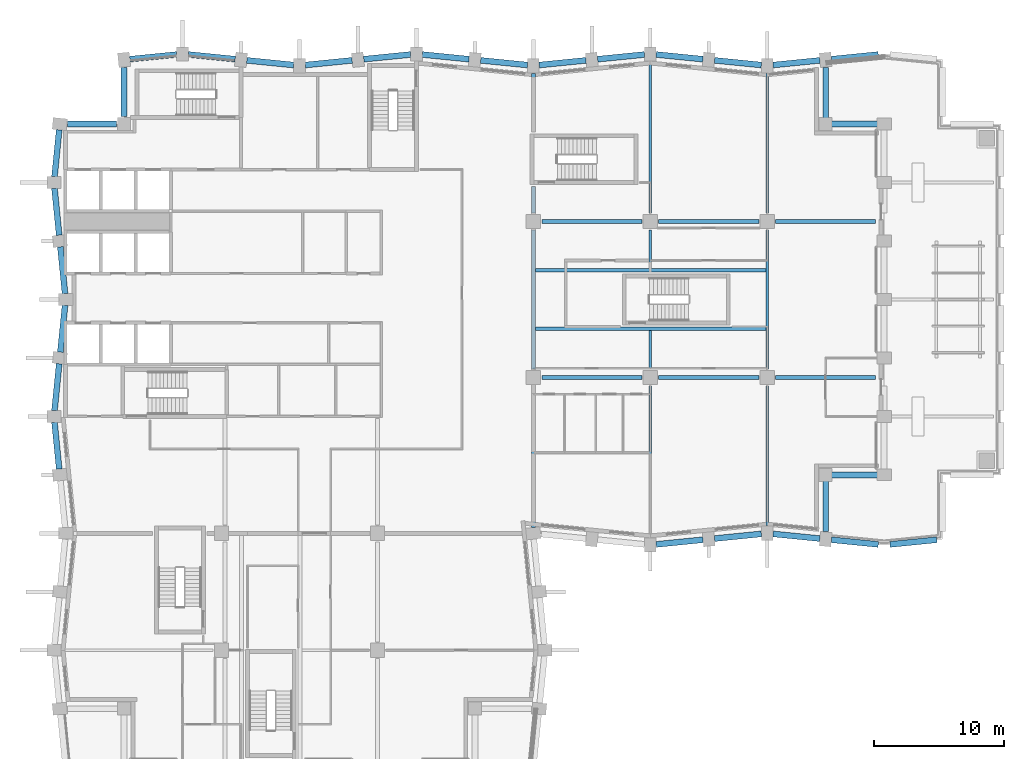
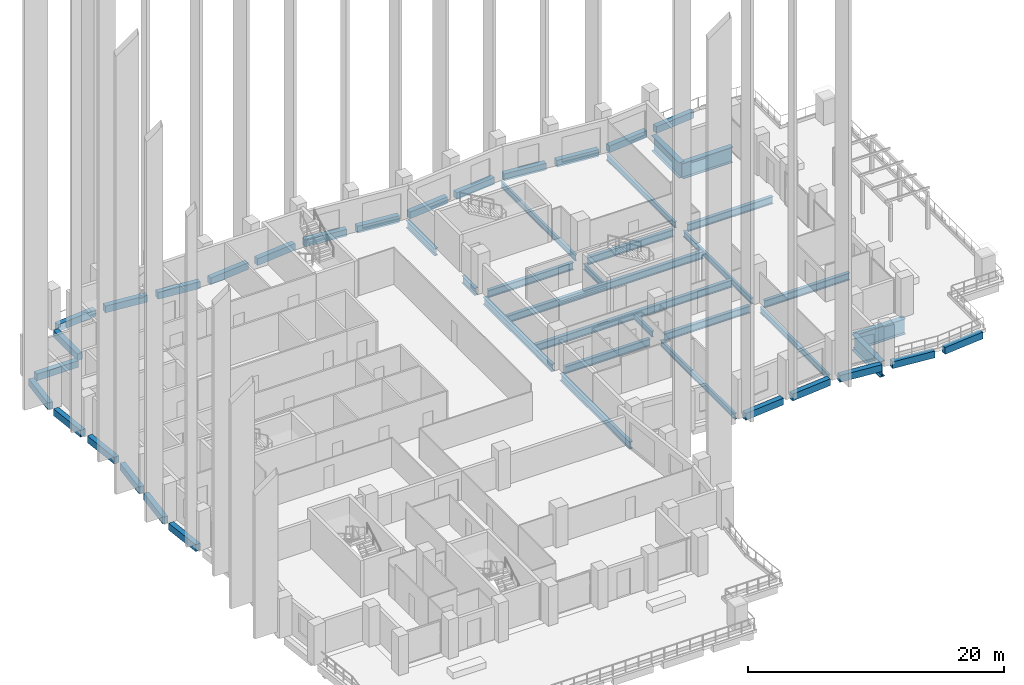
# One storey, part 6 of 18: 49 beams.
"""IFC4 building model written with IfcOpenShell, lengths in metres."""

from ifc_helpers import new_model, si_unit, direction, frame, origin, origin_2d, place, context, subcontext, project, spatial, rectangle, i_section, extrude, material, material_profile, profile_set, type_object, element, save


model = new_model("IFC4")

# Units and contexts
model_context = context("Model", 3, precision=1e-05, world=origin(), true_north=direction((0.0, 1.0)))
body_context = subcontext(model_context, "Body", "Model", "MODEL_VIEW")
ifc_project = project(units=[si_unit("LENGTHUNIT", "METRE"), si_unit("AREAUNIT", "SQUARE_METRE"), si_unit("VOLUMEUNIT", "CUBIC_METRE"), si_unit("PLANEANGLEUNIT", "RADIAN"), si_unit("MASSUNIT", "GRAM", prefix="KILO")], contexts=[model_context])

# Site, building, storey
site_placement = place(None, origin())
site = spatial("IfcSite", under=ifc_project, at=site_placement, CompositionType="ELEMENT")
building_placement = place(site_placement, origin())
building = spatial("IfcBuilding", under=site, at=building_placement, Name="Brondeck Convention Tower", CompositionType="ELEMENT")
storey_placement = place(building_placement, frame((0.0, 0.0, 143.39990234375)))
storey = spatial("IfcBuildingStorey", under=building, at=storey_placement, Name="L34", CompositionType="ELEMENT", Elevation=143.39990234375)

# Beams
ifc_material_1 = material(Name="Steel S355", Category="steel")
ifc_material_profile_1 = material_profile(ifc_material_1, i_section(OverallWidth=0.2099609375, OverallDepth=0.550048828125, WebThickness=0.010986328125, FlangeThickness=0.01708984375, FilletRadius=0.02392578125, at=origin_2d()), Name="IPE 550")
ifc_profile_set_1 = profile_set([ifc_material_profile_1], Name="Steel S355")
beam_type_1 = type_object("IfcBeamType", Name="Floor beam IPE 550", PredefinedType="BEAM", material=ifc_profile_set_1)
for number, where, z_axis, x_axis, name in (
    (1, (45.0, 26.699951171875, -0.574951171875), (0.0, 1.0, 0.0), (-1.0, 0.0, 0.0), "STR-FB-L34-001"),
    (2, (45.0, 51.64990234375, -0.574951171875), (0.0, 1.0, 0.0), (-1.0, 0.0, 0.0), "STR-FB-L34-002"),
):
    element("IfcBeam", number, at=place(storey_placement, frame(where, z_axis=z_axis, x_axis=x_axis)), inside=storey, type_object=beam_type_1, Name=name, PredefinedType="BEAM", context=body_context, shape_type="SweptSolid", body=[
        extrude(i_section(OverallWidth=0.2099609375, OverallDepth=0.550048828125, WebThickness=0.010986328125, FlangeThickness=0.01708984375, FilletRadius=0.02392578125, at=origin_2d()), origin(), (0.0, 0.0, 1.0), 11.650146484375),
    ])
beam_1_placement = place(storey_placement, frame((54.0, 27.60009765625, -0.574951171875), z_axis=(0.0, 1.0, 0.0), x_axis=(-1.0, 0.0, 0.0)))
element("IfcBeam", 3, at=beam_1_placement, inside=storey, type_object=beam_type_1, Name="STR-FB-L34-003", PredefinedType="BEAM", context=body_context, shape_type="SweptSolid", body=[
    extrude(i_section(OverallWidth=0.2099609375, OverallDepth=0.550048828125, WebThickness=0.010986328125, FlangeThickness=0.01708984375, FilletRadius=0.02392578125, at=origin_2d()), origin(), (0.0, 0.0, 1.0), 10.75),
])
beam_2_placement = place(storey_placement, frame((54.0, 39.64990234375, -0.574951171875), z_axis=(0.0, 1.0, 0.0), x_axis=(-1.0, 0.0, 0.0)))
element("IfcBeam", 4, at=beam_2_placement, inside=storey, type_object=beam_type_1, Name="STR-FB-L34-004", PredefinedType="BEAM", context=body_context, shape_type="SweptSolid", body=[
    extrude(i_section(OverallWidth=0.2099609375, OverallDepth=0.550048828125, WebThickness=0.010986328125, FlangeThickness=0.01708984375, FilletRadius=0.02392578125, at=origin_2d()), origin(), (0.0, 0.0, 1.0), 10.7001953125),
])
beam_3_placement = place(storey_placement, frame((54.0, 51.64990234375, -0.574951171875), z_axis=(0.0, 1.0, 0.0), x_axis=(-1.0, 0.0, 0.0)))
element("IfcBeam", 5, at=beam_3_placement, inside=storey, type_object=beam_type_1, Name="STR-FB-L34-005", PredefinedType="BEAM", context=body_context, shape_type="SweptSolid", body=[
    extrude(i_section(OverallWidth=0.2099609375, OverallDepth=0.550048828125, WebThickness=0.010986328125, FlangeThickness=0.01708984375, FilletRadius=0.02392578125, at=origin_2d()), origin(), (0.0, 0.0, 1.0), 10.75),
])
for number, where, z_axis, x_axis, name in (
    (6, (45.0, 39.64990234375, -0.574951171875), (0.0, 1.0, 0.0), (-1.0, 0.0, 0.0), "STR-FB-L34-008"),
    (7, (45.0, 47.39990234375, -0.574951171875), (0.0, 1.0, 0.0), (-1.0, 0.0, 0.0), "STR-FB-L34-009"),
):
    element("IfcBeam", number, at=place(storey_placement, frame(where, z_axis=z_axis, x_axis=x_axis)), inside=storey, type_object=beam_type_1, Name=name, PredefinedType="BEAM", context=body_context, shape_type="SweptSolid", body=[
        extrude(i_section(OverallWidth=0.2099609375, OverallDepth=0.550048828125, WebThickness=0.010986328125, FlangeThickness=0.01708984375, FilletRadius=0.02392578125, at=origin_2d()), origin(), (0.0, 0.0, 1.0), 2.9501953125),
    ])
ifc_material_profile_2 = material_profile(ifc_material_1, i_section(OverallWidth=0.300048828125, OverallDepth=0.699951171875, WebThickness=0.01708984375, FlangeThickness=0.031982421875, FilletRadius=0.027099609375, at=origin_2d()), Name="HEB 700")
ifc_profile_set_2 = profile_set([ifc_material_profile_2], Name="Steel S355")
beam_type_2 = type_object("IfcBeamType", Name="Girder HEB 700", PredefinedType="BEAM", material=ifc_profile_set_2)
for number, where, z_axis, x_axis, name in (
    (8, (36.64990234375, 39.0, -0.64990234375), (1.0, 0.0, 0.0), (0.0, 1.0, 0.0), "STR-GR-L34-001"),
    (9, (45.64990234375, 39.0, -0.64990234375), (1.0, 0.0, 0.0), (0.0, 1.0, 0.0), "STR-GR-L34-002"),
    (10, (54.64990234375, 39.0, -0.64990234375), (1.0, 0.0, 0.0), (0.0, 1.0, 0.0), "STR-GR-L34-003"),
    (11, (36.64990234375, 51.0, -0.64990234375), (1.0, 0.0, 0.0), (0.0, 1.0, 0.0), "STR-GR-L34-004"),
    (12, (45.64990234375, 51.0, -0.64990234375), (1.0, 0.0, 0.0), (0.0, 1.0, 0.0), "STR-GR-L34-005"),
    (13, (54.64990234375, 51.0, -0.64990234375), (1.0, 0.0, 0.0), (0.0, 1.0, 0.0), "STR-GR-L34-006"),
):
    element("IfcBeam", number, at=place(storey_placement, frame(where, z_axis=z_axis, x_axis=x_axis)), inside=storey, type_object=beam_type_2, Name=name, PredefinedType="BEAM", context=body_context, shape_type="SweptSolid", body=[
        extrude(i_section(OverallWidth=0.300048828125, OverallDepth=0.699951171875, WebThickness=0.01708984375, FlangeThickness=0.031982421875, FilletRadius=0.027099609375, at=origin_2d()), origin(), (0.0, 0.0, 1.0), 7.7001953125),
    ])
beam_4_placement = place(storey_placement, frame((36.0, 27.4521484375, -0.64990234375), z_axis=(0.0, 1.0, 0.0), x_axis=(-1.0, 0.0, 0.0)))
element("IfcBeam", 14, at=beam_4_placement, inside=storey, type_object=beam_type_2, Name="STR-GR-L34-007", PredefinedType="BEAM", context=body_context, shape_type="SweptSolid", body=[
    extrude(i_section(OverallWidth=0.300048828125, OverallDepth=0.699951171875, WebThickness=0.01708984375, FlangeThickness=0.031982421875, FilletRadius=0.027099609375, at=origin_2d()), origin(), (0.0, 0.0, 1.0), 10.89794921875),
])
beam_5_placement = place(storey_placement, frame((36.0, 39.64990234375, -0.64990234375), z_axis=(0.0, 1.0, 0.0), x_axis=(-1.0, 0.0, 0.0)))
element("IfcBeam", 15, at=beam_5_placement, inside=storey, type_object=beam_type_2, Name="STR-GR-L34-008", PredefinedType="BEAM", context=body_context, shape_type="SweptSolid", body=[
    extrude(i_section(OverallWidth=0.300048828125, OverallDepth=0.699951171875, WebThickness=0.01708984375, FlangeThickness=0.031982421875, FilletRadius=0.027099609375, at=origin_2d()), origin(), (0.0, 0.0, 1.0), 10.7001953125),
])
beam_6_placement = place(storey_placement, frame((36.0, 51.64990234375, -0.64990234375), z_axis=(0.0, 1.0, 0.0), x_axis=(-1.0, 0.0, 0.0)))
element("IfcBeam", 16, at=beam_6_placement, inside=storey, type_object=beam_type_2, Name="STR-GR-L34-009", PredefinedType="BEAM", context=body_context, shape_type="SweptSolid", body=[
    extrude(i_section(OverallWidth=0.300048828125, OverallDepth=0.699951171875, WebThickness=0.01708984375, FlangeThickness=0.031982421875, FilletRadius=0.027099609375, at=origin_2d()), origin(), (0.0, 0.0, 1.0), 2.050048828125),
])
beam_7_placement = place(storey_placement, frame((36.0, 57.89990234375, -0.64990234375), z_axis=(0.0, 1.0, 0.0), x_axis=(-1.0, 0.0, 0.0)))
element("IfcBeam", 17, at=beam_7_placement, inside=storey, type_object=beam_type_2, Name="STR-GR-L34-010", PredefinedType="BEAM", context=body_context, shape_type="SweptSolid", body=[
    extrude(i_section(OverallWidth=0.300048828125, OverallDepth=0.699951171875, WebThickness=0.01708984375, FlangeThickness=0.031982421875, FilletRadius=0.027099609375, at=origin_2d()), origin(), (0.0, 0.0, 1.0), 4.5),
])
for number, where, z_axis, x_axis, name in (
    (18, (36.14990234375, 42.75, -0.64990234375), (1.0, 0.0, 0.0), (0.0, 1.0, 0.0), "STR-GR-L34-020"),
    (19, (36.14990234375, 47.25, -0.64990234375), (1.0, 0.0, 0.0), (0.0, 1.0, 0.0), "STR-GR-L34-021"),
):
    element("IfcBeam", number, at=place(storey_placement, frame(where, z_axis=z_axis, x_axis=x_axis)), inside=storey, type_object=beam_type_2, Name=name, PredefinedType="BEAM", context=body_context, shape_type="SweptSolid", body=[
        extrude(i_section(OverallWidth=0.300048828125, OverallDepth=0.699951171875, WebThickness=0.01708984375, FlangeThickness=0.031982421875, FilletRadius=0.027099609375, at=origin_2d()), origin(), (0.0, 0.0, 1.0), 17.7451171875),
    ])
ifc_material_2 = material(Name="Concrete C70/85", Category="concrete")
ifc_material_profile_3 = material_profile(ifc_material_2, rectangle(XDim=0.449951171875, YDim=0.64990234375, at=origin_2d()), Name="Precast spandrel 450x650 Concrete C70/85")
ifc_profile_set_3 = profile_set([ifc_material_profile_3], Name="Concrete C70/85")
beam_type_3 = type_object("IfcBeamType", Name="Precast spandrel 450x650 Concrete C70/85", PredefinedType="SPANDREL", material=ifc_profile_set_3)
for number, where, z_axis, x_axis, name in (
    (20, (45.449951171875, 26.14501953125, -0.324951171875), (0.995040528141, 0.099470334057, 0.0), (-0.099470334057, 0.995040528141, 0.0), "STR-SP-L34-006"),
    (21, (49.94775390625, 26.5947265625, -0.324951171875), (0.995033851182, 0.099537103649, 0.0), (-0.099537103649, 0.995033851182, 0.0), "STR-SP-L34-007"),
    (22, (54.449951171875, 26.955078125, -0.324951171875), (0.995033851182, -0.099537103649, 0.0), (0.099537103649, 0.995033851182, 0.0), "STR-SP-L34-008"),
    (23, (58.05224609375, 63.4052734375, -0.324951171875), (-0.995033851182, -0.099537103649, 0.0), (0.099537103649, -0.995033851182, 0.0), "STR-SP-L34-009"),
    (24, (53.550048828125, 63.044921875, -0.324951171875), (-0.995033851182, 0.099537103649, 0.0), (-0.099537103649, -0.995033851182, 0.0), "STR-SP-L34-010"),
    (25, (49.05224609375, 63.494873046875, -0.324951171875), (-0.995040528141, 0.099470334057, 0.0), (-0.099470334057, -0.995040528141, 0.0), "STR-SP-L34-011"),
    (26, (44.550048828125, 63.85498046875, -0.324951171875), (-0.995040528141, -0.099470334057, 0.0), (0.099470334057, -0.995040528141, 0.0), "STR-SP-L34-012"),
    (27, (40.05224609375, 63.4052734375, -0.324951171875), (-0.995033851182, -0.099537103649, 0.0), (0.099537103649, -0.995033851182, 0.0), "STR-SP-L34-013"),
    (28, (35.550048828125, 63.044921875, -0.324951171875), (-0.995033851182, 0.099537103649, 0.0), (-0.099537103649, -0.995033851182, 0.0), "STR-SP-L34-014"),
    (29, (31.05224609375, 63.494873046875, -0.324951171875), (-0.995040528141, 0.099470334057, 0.0), (-0.099470334057, -0.995040528141, 0.0), "STR-SP-L34-015"),
    (30, (26.550048828125, 63.85498046875, -0.324951171875), (-0.995040528141, -0.099470334057, 0.0), (0.099470334057, -0.995040528141, 0.0), "STR-SP-L34-016"),
    (31, (22.05224609375, 63.4052734375, -0.324951171875), (-0.995033851182, -0.099537103649, 0.0), (0.099537103649, -0.995033851182, 0.0), "STR-SP-L34-017"),
    (32, (17.550048828125, 63.044921875, -0.324951171875), (-0.995033851182, 0.099537103649, 0.0), (-0.099537103649, -0.995033851182, 0.0), "STR-SP-L34-018"),
    (33, (13.05224609375, 63.494873046875, -0.324951171875), (-0.995040528141, 0.099470334057, 0.0), (-0.099470334057, -0.995040528141, 0.0), "STR-SP-L34-019"),
    (34, (8.550048828125, 63.85498046875, -0.324951171875), (-0.995040528141, -0.099470334057, 0.0), (0.099470334057, -0.995040528141, 0.0), "STR-SP-L34-020"),
):
    element("IfcBeam", number, at=place(storey_placement, frame(where, z_axis=z_axis, x_axis=x_axis)), inside=storey, type_object=beam_type_3, Name=name, PredefinedType="SPANDREL", context=body_context, shape_type="SweptSolid", body=[
        extrude(rectangle(XDim=0.449951171875, YDim=0.64990234375, at=origin_2d()), origin(), (0.0, 0.0, 1.0), 3.620361328125),
    ])
for number, where, z_axis, x_axis, name in (
    (35, (4.5, 62.846923828125, -0.324951171875), (0.0, -1.0, 0.0), (1.0, 0.0, 0.0), "STR-SP-L34-021"),
    (36, (3.89990234375, 58.5, -0.324951171875), (-1.0, 0.0, 0.0), (0.0, -1.0, 0.0), "STR-SP-L34-022"),
):
    element("IfcBeam", number, at=place(storey_placement, frame(where, z_axis=z_axis, x_axis=x_axis)), inside=storey, type_object=beam_type_3, Name=name, PredefinedType="SPANDREL", context=body_context, shape_type="SweptSolid", body=[
        extrude(rectangle(XDim=0.449951171875, YDim=0.64990234375, at=origin_2d()), origin(), (0.0, 0.0, 1.0), 3.746826171875),
    ])
for number, where, z_axis, x_axis, name in (
    (37, (-0.494873046875, 58.05224609375, -0.324951171875), (-0.099470334057, -0.995040528141, 0.0), (0.995040528141, -0.099470334057, 0.0), "STR-SP-L34-023"),
    (38, (-0.85498046875, 53.550048828125, -0.324951171875), (0.099470334057, -0.995040528141, 0.0), (0.995040528141, 0.099470334057, 0.0), "STR-SP-L34-024"),
    (39, (-0.4052734375, 49.05224609375, -0.324951171875), (0.099537103649, -0.995033851182, 0.0), (0.995033851182, 0.099537103649, 0.0), "STR-SP-L34-025"),
    (40, (-0.044921875, 44.550048828125, -0.324951171875), (-0.099537103649, -0.995033851182, 0.0), (0.995033851182, -0.099537103649, 0.0), "STR-SP-L34-026"),
    (41, (-0.494873046875, 40.05224609375, -0.324951171875), (-0.099470334057, -0.995040528141, 0.0), (0.995040528141, -0.099470334057, 0.0), "STR-SP-L34-027"),
    (42, (-0.85498046875, 35.550048828125, -0.324951171875), (0.099470334057, -0.995040528141, 0.0), (0.995040528141, 0.099470334057, 0.0), "STR-SP-L34-028"),
    (43, (67.05224609375, 26.505126953125, -0.324951171875), (-0.995040528141, -0.099470334057, 0.0), (0.099470334057, -0.995040528141, 0.0), "STR-SP-L34T2-012"),
    (44, (62.550048828125, 26.14501953125, -0.324951171875), (-0.995040528141, 0.099470334057, 0.0), (-0.099470334057, -0.995040528141, 0.0), "STR-SP-L34T2-013"),
    (45, (58.94775390625, 63.494873046875, -0.324951171875), (0.995040528141, 0.099470334057, 0.0), (-0.099470334057, 0.995040528141, 0.0), "STR-SP-L34T2-014"),
):
    element("IfcBeam", number, at=place(storey_placement, frame(where, z_axis=z_axis, x_axis=x_axis)), inside=storey, type_object=beam_type_3, Name=name, PredefinedType="SPANDREL", context=body_context, shape_type="SweptSolid", body=[
        extrude(rectangle(XDim=0.449951171875, YDim=0.64990234375, at=origin_2d()), origin(), (0.0, 0.0, 1.0), 3.620361328125),
    ])
ifc_material_3 = material(Name="Steel S460", Category="steel")
ifc_material_profile_4 = material_profile(ifc_material_3, i_section(OverallWidth=0.449951171875, OverallDepth=1.5, WebThickness=0.02490234375, FlangeThickness=0.044921875, at=origin_2d()), Name="PG 1500x450")
ifc_profile_set_4 = profile_set([ifc_material_profile_4], Name="Steel S460")
beam_type_4 = type_object("IfcBeamType", Name="Transfer girder PG 1500x450", PredefinedType="BEAM", material=ifc_profile_set_4)
beam_8_placement = place(storey_placement, frame((58.5, 27.153076171875, -1.0498046875), z_axis=(0.0, 1.0, 0.0), x_axis=(-1.0, 0.0, 0.0)))
element("IfcBeam", 46, at=beam_8_placement, inside=storey, type_object=beam_type_4, Name="Setback transfer girder PG-L34-11", PredefinedType="BEAM", context=body_context, shape_type="SweptSolid", body=[
    extrude(i_section(OverallWidth=0.449951171875, OverallDepth=1.5, WebThickness=0.02490234375, FlangeThickness=0.044921875, at=origin_2d()), origin(), (0.0, 0.0, 1.0), 4.346923828125),
])
for number, where, z_axis, x_axis, name in (
    (47, (58.5, 31.5, -1.0498046875), (1.0, 0.0, 0.0), (0.0, 1.0, 0.0), "Setback transfer girder PG-L34-12"),
    (48, (63.0, 58.5, -1.0498046875), (-1.0, 0.0, 0.0), (0.0, -1.0, 0.0), "Setback transfer girder PG-L34-19"),
):
    element("IfcBeam", number, at=place(storey_placement, frame(where, z_axis=z_axis, x_axis=x_axis)), inside=storey, type_object=beam_type_4, Name=name, PredefinedType="BEAM", context=body_context, shape_type="SweptSolid", body=[
        extrude(i_section(OverallWidth=0.449951171875, OverallDepth=1.5, WebThickness=0.02490234375, FlangeThickness=0.044921875, at=origin_2d()), origin(), (0.0, 0.0, 1.0), 4.5),
    ])
beam_9_placement = place(storey_placement, frame((58.5, 58.5, -1.0498046875), z_axis=(0.0, 1.0, 0.0), x_axis=(-1.0, 0.0, 0.0)))
element("IfcBeam", 49, at=beam_9_placement, inside=storey, type_object=beam_type_4, Name="Setback transfer girder PG-L34-20", PredefinedType="BEAM", context=body_context, shape_type="SweptSolid", body=[
    extrude(i_section(OverallWidth=0.449951171875, OverallDepth=1.5, WebThickness=0.02490234375, FlangeThickness=0.044921875, at=origin_2d()), origin(), (0.0, 0.0, 1.0), 4.346923828125),
])

save(model, "model.ifc")
